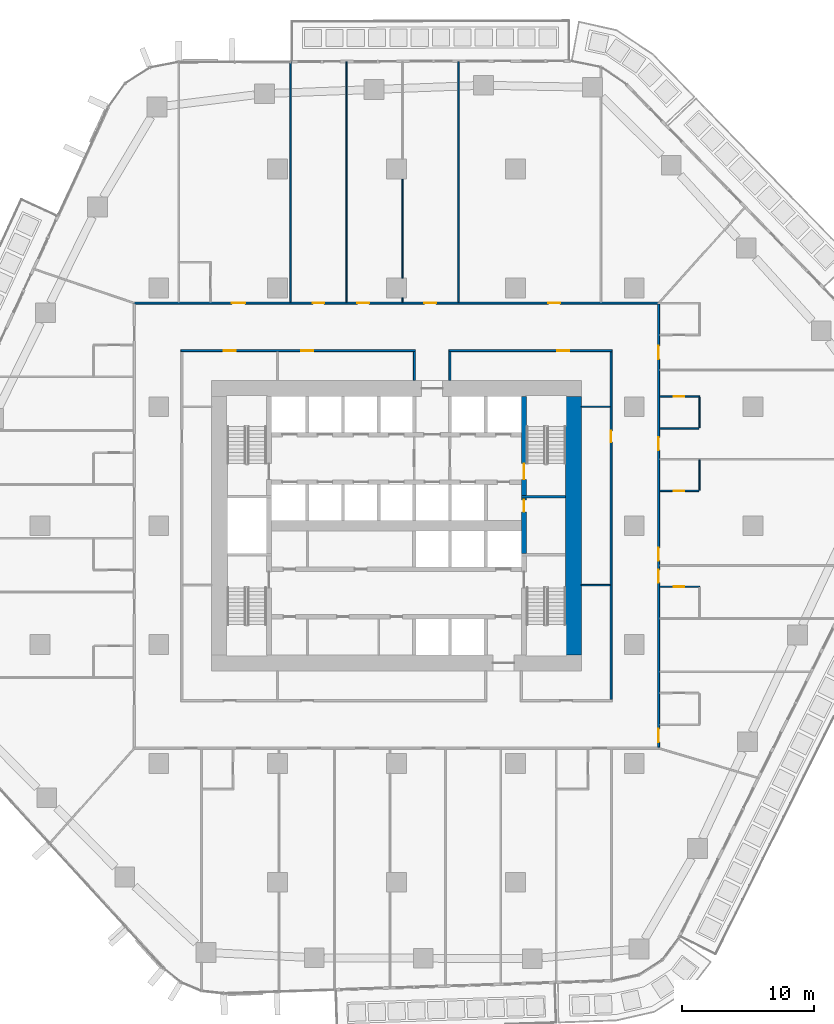
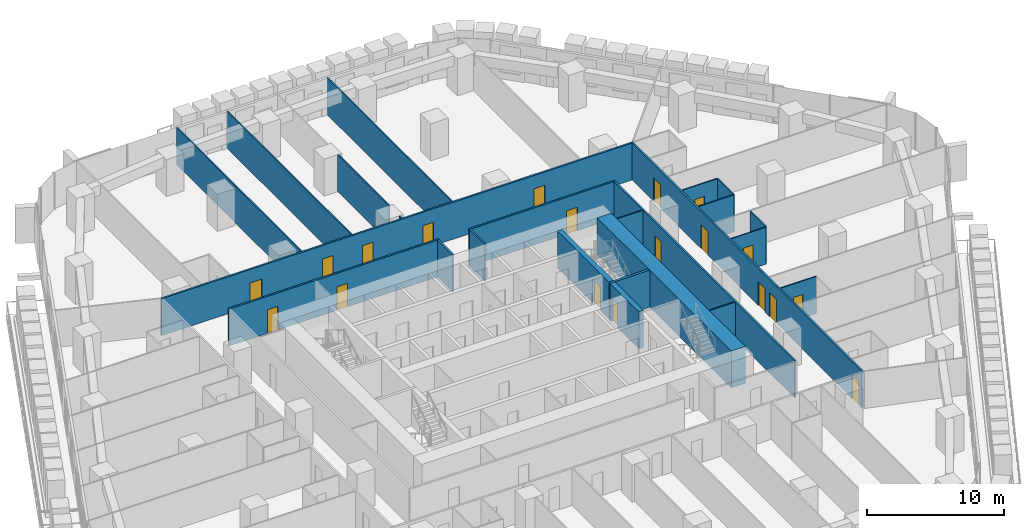
# One storey, part 17 of 27: 24 walls, 19 doors, 19 openings.
"""IFC4 building model written with IfcOpenShell, lengths in metres."""

from ifc_helpers import new_model, si_unit, direction, frame, frame_2d, origin, place, context, subcontext, project, spatial, rectangle, extrude, material, layer, layer_set, type_object, element, fill, save


model = new_model("IFC4")

# Units and contexts
model_context = context("Model", 3, precision=1e-05, world=origin(), true_north=direction((0.0, 1.0)))
body_context = subcontext(model_context, "Body", "Model", "MODEL_VIEW")
ifc_project = project(units=[si_unit("LENGTHUNIT", "METRE"), si_unit("AREAUNIT", "SQUARE_METRE"), si_unit("VOLUMEUNIT", "CUBIC_METRE"), si_unit("PLANEANGLEUNIT", "RADIAN"), si_unit("MASSUNIT", "GRAM", prefix="KILO")], contexts=[model_context])

# Site, building, storey
site_placement = place(None, origin())
site = spatial("IfcSite", under=ifc_project, at=site_placement, CompositionType="ELEMENT")
building_placement = place(site_placement, origin())
building = spatial("IfcBuilding", under=site, at=building_placement, Name="Dongbaek Canopy Tower", CompositionType="ELEMENT")
storey_placement = place(building_placement, frame((0.0, 0.0, 58.800048828125)))
storey = spatial("IfcBuildingStorey", under=building, at=storey_placement, Name="L10", CompositionType="ELEMENT", Elevation=58.800048828125)

# Wall
ifc_material_1 = material(Name="Concrete C60/75", Category="concrete")
ifc_layer_1 = layer(ifc_material_1, 1.199951171875)
ifc_layer_set_1 = layer_set([ifc_layer_1], Name="Core outer wall 1200 Concrete C60/75")
wall_type_1 = type_object("IfcWallType", Name="Core outer wall 1200 Concrete C60/75", PredefinedType="SHEAR", material=ifc_layer_set_1)
wall_1_placement = place(storey_placement, frame((13.39990234375, 9.800048828125, 0.0), z_axis=(0.0, 0.0, 1.0), x_axis=(0.0, -1.0, 0.0)))
element("IfcWall", 1, at=wall_1_placement, inside=storey, type_object=wall_type_1, Name="Core wall", PredefinedType="SHEAR", context=body_context, shape_type="SweptSolid", body=[
    extrude(rectangle(XDim=19.60009765625, YDim=1.199951171875, at=frame_2d((9.800048828125, 0.0))), origin(), (0.0, 0.0, 1.0), 3.300048828125),
])

# Wall, openings, doors
ifc_material_2 = material(Name="Gypsum board partition, steel stud, 2 x 15 mm fire board", Category="steel")
ifc_layer_2 = layer(ifc_material_2, 0.14990234375)
ifc_layer_set_2 = layer_set([ifc_layer_2], Name="Fire-rated partition 150 gypsum board")
wall_type_2 = type_object("IfcWallType", Name="Fire-rated partition 150 gypsum board", PredefinedType="PARTITIONING", material=ifc_layer_set_2)
wall_2_placement = place(storey_placement, frame((1.425048828125, 13.25, 0.0), z_axis=(0.0, 0.0, 1.0), x_axis=(-1.0, 0.0, 0.0)))
wall_2 = element("IfcWall", 2, at=wall_2_placement, inside=storey, type_object=wall_type_2, Name="Corridor partition", PredefinedType="PARTITIONING", context=body_context, shape_type="SweptSolid", body=[
    extrude(rectangle(XDim=17.75, YDim=0.14990234375, at=frame_2d((8.875, 0.0))), origin(), (0.0, 0.0, 1.0), 3.300048828125),
])
opening_1_placement = place(wall_2_placement, frame((7.72509765625, 0.0, 0.0)))
opening_1 = element("IfcOpeningElement", 3, at=opening_1_placement, cuts=wall_2, Name="Opening L10-D041", PredefinedType="OPENING", context=body_context, shape_type="SweptSolid", body=[
    extrude(rectangle(XDim=0.89990234375, YDim=2.10009765625, at=frame_2d((0.449951171875, 1.050048828125))), frame((0.0, 0.0849609375, 0.0), z_axis=(0.0, -1.0, 0.0), x_axis=(1.0, 0.0, 0.0)), (0.0, 0.0, 1.0), 0.169921875),
])
opening_2_placement = place(wall_2_placement, frame((13.60009765625, 0.0, 0.0)))
opening_2 = element("IfcOpeningElement", 4, at=opening_2_placement, cuts=wall_2, Name="Opening L10-D042", PredefinedType="OPENING", context=body_context, shape_type="SweptSolid", body=[
    extrude(rectangle(XDim=0.89990234375, YDim=2.10009765625, at=frame_2d((0.449951171875, 1.050048828125))), frame((0.0, 0.0849609375, 0.0), z_axis=(0.0, -1.0, 0.0), x_axis=(1.0, 0.0, 0.0)), (0.0, 0.0, 1.0), 0.169921875),
])
ifc_material_3 = material(Name="Timber veneered door leaf", Category="wood")
door_type_1 = type_object("IfcDoorType", Name="Room door 900 x 2100", OperationType="SINGLE_SWING_LEFT", PredefinedType="DOOR", material=ifc_material_3)
door_1_placement = place(opening_1_placement, origin())
door_1 = element("IfcDoor", 5, at=door_1_placement, inside=storey, type_object=door_type_1, Name="Door L10-D041", OperationType="SINGLE_SWING_RIGHT", OverallHeight=2.10009765625, OverallWidth=0.89990234375, PredefinedType="DOOR", context=body_context, shape_type="SweptSolid", body=[
    extrude(rectangle(XDim=0.89990234375, YDim=2.10009765625, at=frame_2d((0.449951171875, 1.050048828125))), frame((0.0, 0.02490234375, 0.0), z_axis=(0.0, -1.0, 0.0), x_axis=(1.0, 0.0, 0.0)), (0.0, 0.0, 1.0), 0.050048828125),
])
fill(opening_1, door_1)
door_2_placement = place(opening_2_placement, origin())
door_2 = element("IfcDoor", 6, at=door_2_placement, inside=storey, type_object=door_type_1, Name="Door L10-D042", OperationType="SINGLE_SWING_LEFT", OverallHeight=2.10009765625, OverallWidth=0.89990234375, PredefinedType="DOOR", context=body_context, shape_type="SweptSolid", body=[
    extrude(rectangle(XDim=0.89990234375, YDim=2.10009765625, at=frame_2d((0.449951171875, 1.050048828125))), frame((0.0, 0.02490234375, 0.0), z_axis=(0.0, -1.0, 0.0), x_axis=(1.0, 0.0, 0.0)), (0.0, 0.0, 1.0), 0.050048828125),
])
fill(opening_2, door_2)

# Wall, opening, door
wall_3_placement = place(storey_placement, frame((16.324951171875, 13.25, 0.0), z_axis=(0.0, 0.0, 1.0), x_axis=(-1.0, 0.0, 0.0)))
wall_3 = element("IfcWall", 7, at=wall_3_placement, inside=storey, type_object=wall_type_2, Name="Corridor partition", PredefinedType="PARTITIONING", context=body_context, shape_type="SweptSolid", body=[
    extrude(rectangle(XDim=12.349853515625, YDim=0.14990234375, at=frame_2d((6.1748046875, 0.0))), origin(), (0.0, 0.0, 1.0), 3.300048828125),
])
opening_3_placement = place(wall_3_placement, frame((3.25, 0.0, 0.0)))
opening_3 = element("IfcOpeningElement", 8, at=opening_3_placement, cuts=wall_3, Name="Opening L10-D040", PredefinedType="OPENING", context=body_context, shape_type="SweptSolid", body=[
    extrude(rectangle(XDim=0.89990234375, YDim=2.10009765625, at=frame_2d((0.449951171875, 1.050048828125))), frame((0.0, 0.0849609375, 0.0), z_axis=(0.0, -1.0, 0.0), x_axis=(1.0, 0.0, 0.0)), (0.0, 0.0, 1.0), 0.169921875),
])
door_3_placement = place(opening_3_placement, origin())
door_3 = element("IfcDoor", 9, at=door_3_placement, inside=storey, type_object=door_type_1, Name="Door L10-D040", OperationType="SINGLE_SWING_LEFT", OverallHeight=2.10009765625, OverallWidth=0.89990234375, PredefinedType="DOOR", context=body_context, shape_type="SweptSolid", body=[
    extrude(rectangle(XDim=0.89990234375, YDim=2.10009765625, at=frame_2d((0.449951171875, 1.050048828125))), frame((0.0, 0.02490234375, 0.0), z_axis=(0.0, -1.0, 0.0), x_axis=(1.0, 0.0, 0.0)), (0.0, 0.0, 1.0), 0.050048828125),
])
fill(opening_3, door_3)

# Wall, openings, doors
wall_4_placement = place(storey_placement, frame((-19.925048828125, 16.85009765625, 0.0), z_axis=(0.0, 0.0, 1.0), x_axis=(1.0, 0.0, 0.0)))
wall_4 = element("IfcWall", 10, at=wall_4_placement, inside=storey, type_object=wall_type_2, Name="Corridor partition", PredefinedType="PARTITIONING", context=body_context, shape_type="SweptSolid", body=[
    extrude(rectangle(XDim=39.85009765625, YDim=0.14990234375, at=frame_2d((19.925048828125, 0.0))), origin(), (0.0, 0.0, 1.0), 3.300048828125),
])
opening_4_placement = place(wall_4_placement, frame((31.43310546875, 0.0, 0.0)))
opening_4 = element("IfcOpeningElement", 11, at=opening_4_placement, cuts=wall_4, Name="Opening L10-D025", PredefinedType="OPENING", context=body_context, shape_type="SweptSolid", body=[
    extrude(rectangle(XDim=0.89990234375, YDim=2.10009765625, at=frame_2d((0.449951171875, 1.050048828125))), frame((0.0, 0.0849609375, 0.0), z_axis=(0.0, -1.0, 0.0), x_axis=(1.0, 0.0, 0.0)), (0.0, 0.0, 1.0), 0.169921875),
])
opening_5_placement = place(wall_4_placement, frame((22.043212890625, 0.0, 0.0)))
opening_5 = element("IfcOpeningElement", 12, at=opening_5_placement, cuts=wall_4, Name="Opening L10-D026", PredefinedType="OPENING", context=body_context, shape_type="SweptSolid", body=[
    extrude(rectangle(XDim=0.89990234375, YDim=2.10009765625, at=frame_2d((0.449951171875, 1.050048828125))), frame((0.0, 0.0849609375, 0.0), z_axis=(0.0, -1.0, 0.0), x_axis=(1.0, 0.0, 0.0)), (0.0, 0.0, 1.0), 0.169921875),
])
opening_6_placement = place(wall_4_placement, frame((16.95703125, 0.0, 0.0)))
opening_6 = element("IfcOpeningElement", 13, at=opening_6_placement, cuts=wall_4, Name="Opening L10-D027", PredefinedType="OPENING", context=body_context, shape_type="SweptSolid", body=[
    extrude(rectangle(XDim=0.89990234375, YDim=2.10009765625, at=frame_2d((0.449951171875, 1.050048828125))), frame((0.0, 0.0849609375, 0.0), z_axis=(0.0, -1.0, 0.0), x_axis=(1.0, 0.0, 0.0)), (0.0, 0.0, 1.0), 0.169921875),
])
opening_7_placement = place(wall_4_placement, frame((13.572265625, 0.0, 0.0)))
opening_7 = element("IfcOpeningElement", 14, at=opening_7_placement, cuts=wall_4, Name="Opening L10-D028", PredefinedType="OPENING", context=body_context, shape_type="SweptSolid", body=[
    extrude(rectangle(XDim=0.89990234375, YDim=2.10009765625, at=frame_2d((0.449951171875, 1.050048828125))), frame((0.0, 0.0849609375, 0.0), z_axis=(0.0, -1.0, 0.0), x_axis=(1.0, 0.0, 0.0)), (0.0, 0.0, 1.0), 0.169921875),
])
opening_8_placement = place(wall_4_placement, frame((7.45849609375, 0.0, 0.0)))
opening_8 = element("IfcOpeningElement", 15, at=opening_8_placement, cuts=wall_4, Name="Opening L10-D030", PredefinedType="OPENING", context=body_context, shape_type="SweptSolid", body=[
    extrude(rectangle(XDim=1.0, YDim=2.10009765625, at=frame_2d((0.5, 1.050048828125))), frame((0.0, 0.0849609375, 0.0), z_axis=(0.0, -1.0, 0.0), x_axis=(1.0, 0.0, 0.0)), (0.0, 0.0, 1.0), 0.169921875),
])
ifc_material_4 = material(Name="Timber veneered door leaf", Category="wood")
door_type_2 = type_object("IfcDoorType", Name="Guest room door 1000 x 2100", OperationType="SINGLE_SWING_LEFT", PredefinedType="DOOR", material=ifc_material_4)
door_4_placement = place(opening_8_placement, origin())
door_4 = element("IfcDoor", 16, at=door_4_placement, inside=storey, type_object=door_type_2, Name="Door L10-D030", OperationType="SINGLE_SWING_LEFT", OverallHeight=2.10009765625, OverallWidth=1.0, PredefinedType="DOOR", context=body_context, shape_type="SweptSolid", body=[
    extrude(rectangle(XDim=1.0, YDim=2.10009765625, at=frame_2d((0.5, 1.050048828125))), frame((0.0, 0.02490234375, 0.0), z_axis=(0.0, -1.0, 0.0), x_axis=(1.0, 0.0, 0.0)), (0.0, 0.0, 1.0), 0.050048828125),
])
fill(opening_8, door_4)
door_5_placement = place(opening_4_placement, origin())
door_5 = element("IfcDoor", 17, at=door_5_placement, inside=storey, type_object=door_type_1, Name="Door L10-D025", OperationType="SINGLE_SWING_LEFT", OverallHeight=2.10009765625, OverallWidth=0.89990234375, PredefinedType="DOOR", context=body_context, shape_type="SweptSolid", body=[
    extrude(rectangle(XDim=0.89990234375, YDim=2.10009765625, at=frame_2d((0.449951171875, 1.050048828125))), frame((0.0, 0.02490234375, 0.0), z_axis=(0.0, -1.0, 0.0), x_axis=(1.0, 0.0, 0.0)), (0.0, 0.0, 1.0), 0.050048828125),
])
fill(opening_4, door_5)
door_6_placement = place(opening_5_placement, origin())
door_6 = element("IfcDoor", 18, at=door_6_placement, inside=storey, type_object=door_type_1, Name="Door L10-D026", OperationType="SINGLE_SWING_RIGHT", OverallHeight=2.10009765625, OverallWidth=0.89990234375, PredefinedType="DOOR", context=body_context, shape_type="SweptSolid", body=[
    extrude(rectangle(XDim=0.89990234375, YDim=2.10009765625, at=frame_2d((0.449951171875, 1.050048828125))), frame((0.0, 0.02490234375, 0.0), z_axis=(0.0, -1.0, 0.0), x_axis=(1.0, 0.0, 0.0)), (0.0, 0.0, 1.0), 0.050048828125),
])
fill(opening_5, door_6)
door_7_placement = place(opening_6_placement, origin())
door_7 = element("IfcDoor", 19, at=door_7_placement, inside=storey, type_object=door_type_1, Name="Door L10-D027", OperationType="SINGLE_SWING_LEFT", OverallHeight=2.10009765625, OverallWidth=0.89990234375, PredefinedType="DOOR", context=body_context, shape_type="SweptSolid", body=[
    extrude(rectangle(XDim=0.89990234375, YDim=2.10009765625, at=frame_2d((0.449951171875, 1.050048828125))), frame((0.0, 0.02490234375, 0.0), z_axis=(0.0, -1.0, 0.0), x_axis=(1.0, 0.0, 0.0)), (0.0, 0.0, 1.0), 0.050048828125),
])
fill(opening_6, door_7)
door_8_placement = place(opening_7_placement, origin())
door_8 = element("IfcDoor", 20, at=door_8_placement, inside=storey, type_object=door_type_1, Name="Door L10-D028", OperationType="SINGLE_SWING_RIGHT", OverallHeight=2.10009765625, OverallWidth=0.89990234375, PredefinedType="DOOR", context=body_context, shape_type="SweptSolid", body=[
    extrude(rectangle(XDim=0.89990234375, YDim=2.10009765625, at=frame_2d((0.449951171875, 1.050048828125))), frame((0.0, 0.02490234375, 0.0), z_axis=(0.0, -1.0, 0.0), x_axis=(1.0, 0.0, 0.0)), (0.0, 0.0, 1.0), 0.050048828125),
])
fill(opening_7, door_8)

wall_5_placement = place(storey_placement, frame((19.85009765625, 16.77490234375, 0.0), z_axis=(0.0, 0.0, 1.0), x_axis=(0.0, -1.0, 0.0)))
wall_5 = element("IfcWall", 21, at=wall_5_placement, inside=storey, type_object=wall_type_2, Name="Corridor partition", PredefinedType="PARTITIONING", context=body_context, shape_type="SweptSolid", body=[
    extrude(rectangle(XDim=33.5498046875, YDim=0.14990234375, at=frame_2d((16.77490234375, 0.0))), origin(), (0.0, 0.0, 1.0), 3.300048828125),
])
opening_9_placement = place(wall_5_placement, frame((32.15771484375, 0.0, 0.0)))
opening_9 = element("IfcOpeningElement", 22, at=opening_9_placement, cuts=wall_5, Name="Opening L10-D016", PredefinedType="OPENING", context=body_context, shape_type="SweptSolid", body=[
    extrude(rectangle(XDim=1.0, YDim=2.10009765625, at=frame_2d((0.5, 1.050048828125))), frame((0.0, 0.0849609375, 0.0), z_axis=(0.0, -1.0, 0.0), x_axis=(1.0, 0.0, 0.0)), (0.0, 0.0, 1.0), 0.169921875),
])
opening_10_placement = place(wall_5_placement, frame((20.093505859375, 0.0, 0.0)))
opening_10 = element("IfcOpeningElement", 23, at=opening_10_placement, cuts=wall_5, Name="Opening L10-D018", PredefinedType="OPENING", context=body_context, shape_type="SweptSolid", body=[
    extrude(rectangle(XDim=1.0, YDim=2.10009765625, at=frame_2d((0.5, 1.050048828125))), frame((0.0, 0.0849609375, 0.0), z_axis=(0.0, -1.0, 0.0), x_axis=(1.0, 0.0, 0.0)), (0.0, 0.0, 1.0), 0.169921875),
])
opening_11_placement = place(wall_5_placement, frame((18.427978515625, 0.0, 0.0)))
opening_11 = element("IfcOpeningElement", 24, at=opening_11_placement, cuts=wall_5, Name="Opening L10-D020", PredefinedType="OPENING", context=body_context, shape_type="SweptSolid", body=[
    extrude(rectangle(XDim=1.0, YDim=2.10009765625, at=frame_2d((0.5, 1.050048828125))), frame((0.0, 0.0849609375, 0.0), z_axis=(0.0, -1.0, 0.0), x_axis=(1.0, 0.0, 0.0)), (0.0, 0.0, 1.0), 0.169921875),
])
opening_12_placement = place(wall_5_placement, frame((10.072265625, 0.0, 0.0)))
opening_12 = element("IfcOpeningElement", 25, at=opening_12_placement, cuts=wall_5, Name="Opening L10-D022", PredefinedType="OPENING", context=body_context, shape_type="SweptSolid", body=[
    extrude(rectangle(XDim=1.0, YDim=2.10009765625, at=frame_2d((0.5, 1.050048828125))), frame((0.0, 0.0849609375, 0.0), z_axis=(0.0, -1.0, 0.0), x_axis=(1.0, 0.0, 0.0)), (0.0, 0.0, 1.0), 0.169921875),
])
opening_13_placement = place(wall_5_placement, frame((3.15625, 0.0, 0.0)))
opening_13 = element("IfcOpeningElement", 26, at=opening_13_placement, cuts=wall_5, Name="Opening L10-D024", PredefinedType="OPENING", context=body_context, shape_type="SweptSolid", body=[
    extrude(rectangle(XDim=1.0, YDim=2.10009765625, at=frame_2d((0.5, 1.050048828125))), frame((0.0, 0.0849609375, 0.0), z_axis=(0.0, -1.0, 0.0), x_axis=(1.0, 0.0, 0.0)), (0.0, 0.0, 1.0), 0.169921875),
])
door_9_placement = place(opening_9_placement, origin())
door_9 = element("IfcDoor", 27, at=door_9_placement, inside=storey, type_object=door_type_2, Name="Door L10-D016", OperationType="SINGLE_SWING_RIGHT", OverallHeight=2.10009765625, OverallWidth=1.0, PredefinedType="DOOR", context=body_context, shape_type="SweptSolid", body=[
    extrude(rectangle(XDim=1.0, YDim=2.10009765625, at=frame_2d((0.5, 1.050048828125))), frame((0.0, 0.02490234375, 0.0), z_axis=(0.0, -1.0, 0.0), x_axis=(1.0, 0.0, 0.0)), (0.0, 0.0, 1.0), 0.050048828125),
])
fill(opening_9, door_9)
door_10_placement = place(opening_10_placement, origin())
door_10 = element("IfcDoor", 28, at=door_10_placement, inside=storey, type_object=door_type_2, Name="Door L10-D018", OperationType="SINGLE_SWING_RIGHT", OverallHeight=2.10009765625, OverallWidth=1.0, PredefinedType="DOOR", context=body_context, shape_type="SweptSolid", body=[
    extrude(rectangle(XDim=1.0, YDim=2.10009765625, at=frame_2d((0.5, 1.050048828125))), frame((0.0, 0.02490234375, 0.0), z_axis=(0.0, -1.0, 0.0), x_axis=(1.0, 0.0, 0.0)), (0.0, 0.0, 1.0), 0.050048828125),
])
fill(opening_10, door_10)
door_11_placement = place(opening_11_placement, origin())
door_11 = element("IfcDoor", 29, at=door_11_placement, inside=storey, type_object=door_type_2, Name="Door L10-D020", OperationType="SINGLE_SWING_LEFT", OverallHeight=2.10009765625, OverallWidth=1.0, PredefinedType="DOOR", context=body_context, shape_type="SweptSolid", body=[
    extrude(rectangle(XDim=1.0, YDim=2.10009765625, at=frame_2d((0.5, 1.050048828125))), frame((0.0, 0.02490234375, 0.0), z_axis=(0.0, -1.0, 0.0), x_axis=(1.0, 0.0, 0.0)), (0.0, 0.0, 1.0), 0.050048828125),
])
fill(opening_11, door_11)
door_12_placement = place(opening_12_placement, origin())
door_12 = element("IfcDoor", 30, at=door_12_placement, inside=storey, type_object=door_type_2, Name="Door L10-D022", OperationType="SINGLE_SWING_RIGHT", OverallHeight=2.10009765625, OverallWidth=1.0, PredefinedType="DOOR", context=body_context, shape_type="SweptSolid", body=[
    extrude(rectangle(XDim=1.0, YDim=2.10009765625, at=frame_2d((0.5, 1.050048828125))), frame((0.0, 0.02490234375, 0.0), z_axis=(0.0, -1.0, 0.0), x_axis=(1.0, 0.0, 0.0)), (0.0, 0.0, 1.0), 0.050048828125),
])
fill(opening_12, door_12)
door_13_placement = place(opening_13_placement, origin())
door_13 = element("IfcDoor", 31, at=door_13_placement, inside=storey, type_object=door_type_2, Name="Door L10-D024", OperationType="SINGLE_SWING_LEFT", OverallHeight=2.10009765625, OverallWidth=1.0, PredefinedType="DOOR", context=body_context, shape_type="SweptSolid", body=[
    extrude(rectangle(XDim=1.0, YDim=2.10009765625, at=frame_2d((0.5, 1.050048828125))), frame((0.0, 0.02490234375, 0.0), z_axis=(0.0, -1.0, 0.0), x_axis=(1.0, 0.0, 0.0)), (0.0, 0.0, 1.0), 0.050048828125),
])
fill(opening_13, door_13)

# Wall, opening, door
wall_6_placement = place(storey_placement, frame((16.25, -13.175048828125, 0.0), z_axis=(0.0, 0.0, 1.0), x_axis=(0.0, 1.0, 0.0)))
wall_6 = element("IfcWall", 32, at=wall_6_placement, inside=storey, type_object=wall_type_2, Name="Corridor partition", PredefinedType="PARTITIONING", context=body_context, shape_type="SweptSolid", body=[
    extrude(rectangle(XDim=26.35009765625, YDim=0.14990234375, at=frame_2d((13.175048828125, 0.0))), origin(), (0.0, 0.0, 1.0), 3.300048828125),
])
opening_14_placement = place(wall_6_placement, frame((19.47509765625, 0.0, 0.0)))
opening_14 = element("IfcOpeningElement", 33, at=opening_14_placement, cuts=wall_6, Name="Opening L10-D039", PredefinedType="OPENING", context=body_context, shape_type="SweptSolid", body=[
    extrude(rectangle(XDim=0.89990234375, YDim=2.10009765625, at=frame_2d((0.449951171875, 1.050048828125))), frame((0.0, 0.0849609375, 0.0), z_axis=(0.0, -1.0, 0.0), x_axis=(1.0, 0.0, 0.0)), (0.0, 0.0, 1.0), 0.169921875),
])
door_14_placement = place(opening_14_placement, origin())
door_14 = element("IfcDoor", 34, at=door_14_placement, inside=storey, type_object=door_type_1, Name="Door L10-D039", OperationType="SINGLE_SWING_RIGHT", OverallHeight=2.10009765625, OverallWidth=0.89990234375, PredefinedType="DOOR", context=body_context, shape_type="SweptSolid", body=[
    extrude(rectangle(XDim=0.89990234375, YDim=2.10009765625, at=frame_2d((0.449951171875, 1.050048828125))), frame((0.0, 0.02490234375, 0.0), z_axis=(0.0, -1.0, 0.0), x_axis=(1.0, 0.0, 0.0)), (0.0, 0.0, 1.0), 0.050048828125),
])
fill(opening_14, door_14)

# Walls
for number, where, z_axis, x_axis, name in (
    (35, (4.050048828125, 11.0, 0.0), (0.0, 0.0, 1.0), (0.0, 1.0, 0.0), "Corridor partition"),
    (36, (1.35009765625, 11.0, 0.0), (0.0, 0.0, 1.0), (0.0, 1.0, 0.0), "Corridor partition"),
):
    element("IfcWall", number, at=place(storey_placement, frame(where, z_axis=z_axis, x_axis=x_axis)), inside=storey, type_object=wall_type_2, Name=name, PredefinedType="PARTITIONING", context=body_context, shape_type="SweptSolid", body=[
        extrude(rectangle(XDim=2.175048828125, YDim=0.14990234375, at=frame_2d((1.08740234375, 0.0))), origin(), (0.0, 0.0, 1.0), 3.300048828125),
    ])

# Wall, opening, door
ifc_material_5 = material(Name="Gypsum board partition, steel stud, 2 x 12.5 mm board", Category="steel")
ifc_layer_3 = layer(ifc_material_5, 0.10009765625)
ifc_layer_set_3 = layer_set([ifc_layer_3], Name="Partition 100 gypsum board")
wall_type_3 = type_object("IfcWallType", Name="Partition 100 gypsum board", PredefinedType="PARTITIONING", material=ifc_layer_set_3)
wall_7_placement = place(storey_placement, frame((22.949951171875, -4.6298828125, 0.0), z_axis=(0.0, 0.0, 1.0), x_axis=(-1.0, 0.0, 0.0)))
wall_7 = element("IfcWall", 37, at=wall_7_placement, inside=storey, type_object=wall_type_3, Name="Partition", PredefinedType="PARTITIONING", context=body_context, shape_type="SweptSolid", body=[
    extrude(rectangle(XDim=3.02490234375, YDim=0.10009765625, at=frame_2d((1.512451171875, 0.0))), origin(), (0.0, 0.0, 1.0), 3.300048828125),
])
opening_15_placement = place(wall_7_placement, frame((1.14990234375, 0.0, 0.0)))
opening_15 = element("IfcOpeningElement", 38, at=opening_15_placement, cuts=wall_7, Name="Opening L10-D017", PredefinedType="OPENING", context=body_context, shape_type="SweptSolid", body=[
    extrude(rectangle(XDim=0.800048828125, YDim=2.10009765625, at=frame_2d((0.39990234375, 1.050048828125))), frame((0.0, 0.06005859375, 0.0), z_axis=(0.0, -1.0, 0.0), x_axis=(1.0, 0.0, 0.0)), (0.0, 0.0, 1.0), 0.1201171875),
])
ifc_material_6 = material(Name="Timber veneered door leaf", Category="wood")
door_type_3 = type_object("IfcDoorType", Name="En-suite door 800 x 2100", OperationType="SINGLE_SWING_LEFT", PredefinedType="DOOR", material=ifc_material_6)
door_15_placement = place(opening_15_placement, origin())
door_15 = element("IfcDoor", 39, at=door_15_placement, inside=storey, type_object=door_type_3, Name="Door L10-D017", OperationType="SINGLE_SWING_LEFT", OverallHeight=2.10009765625, OverallWidth=0.800048828125, PredefinedType="DOOR", context=body_context, shape_type="SweptSolid", body=[
    extrude(rectangle(XDim=0.800048828125, YDim=2.10009765625, at=frame_2d((0.39990234375, 1.050048828125))), frame((0.0, 0.02490234375, 0.0), z_axis=(0.0, -1.0, 0.0), x_axis=(1.0, 0.0, 0.0)), (0.0, 0.0, 1.0), 0.050048828125),
])
fill(opening_15, door_15)

# Wall
wall_8_placement = place(storey_placement, frame((14.0, -4.5, 0.0), z_axis=(0.0, 0.0, 1.0), x_axis=(1.0, 0.0, 0.0)))
element("IfcWall", 40, at=wall_8_placement, inside=storey, type_object=wall_type_3, Name="Partition", PredefinedType="PARTITIONING", context=body_context, shape_type="SweptSolid", body=[
    extrude(rectangle(XDim=2.175048828125, YDim=0.10009765625, at=frame_2d((1.08740234375, 0.0))), origin(), (0.0, 0.0, 1.0), 3.300048828125),
])

# Wall, opening, door
wall_9_placement = place(storey_placement, frame((19.925048828125, 2.635009765625, 0.0), z_axis=(0.0, 0.0, 1.0), x_axis=(1.0, 0.0, 0.0)))
wall_9 = element("IfcWall", 41, at=wall_9_placement, inside=storey, type_object=wall_type_3, Name="Partition", PredefinedType="PARTITIONING", context=body_context, shape_type="SweptSolid", body=[
    extrude(rectangle(XDim=2.974853515625, YDim=0.10009765625, at=frame_2d((1.4873046875, 0.0))), origin(), (0.0, 0.0, 1.0), 3.300048828125),
])
opening_16_placement = place(wall_9_placement, frame((1.074951171875, 0.0, 0.0)))
opening_16 = element("IfcOpeningElement", 42, at=opening_16_placement, cuts=wall_9, Name="Opening L10-D019", PredefinedType="OPENING", context=body_context, shape_type="SweptSolid", body=[
    extrude(rectangle(XDim=0.800048828125, YDim=2.10009765625, at=frame_2d((0.39990234375, 1.050048828125))), frame((0.0, 0.06005859375, 0.0), z_axis=(0.0, -1.0, 0.0), x_axis=(1.0, 0.0, 0.0)), (0.0, 0.0, 1.0), 0.1201171875),
])
door_16_placement = place(opening_16_placement, origin())
door_16 = element("IfcDoor", 43, at=door_16_placement, inside=storey, type_object=door_type_3, Name="Door L10-D019", OperationType="SINGLE_SWING_RIGHT", OverallHeight=2.10009765625, OverallWidth=0.800048828125, PredefinedType="DOOR", context=body_context, shape_type="SweptSolid", body=[
    extrude(rectangle(XDim=0.800048828125, YDim=2.10009765625, at=frame_2d((0.39990234375, 1.050048828125))), frame((0.0, 0.02490234375, 0.0), z_axis=(0.0, -1.0, 0.0), x_axis=(1.0, 0.0, 0.0)), (0.0, 0.0, 1.0), 0.050048828125),
])
fill(opening_16, door_16)

# Walls
wall_10_placement = place(storey_placement, frame((19.925048828125, 7.37109375, 0.0), z_axis=(0.0, 0.0, 1.0), x_axis=(1.0, 0.0, 0.0)))
element("IfcWall", 44, at=wall_10_placement, inside=storey, type_object=wall_type_3, Name="Partition", PredefinedType="PARTITIONING", context=body_context, shape_type="SweptSolid", body=[
    extrude(rectangle(XDim=2.974853515625, YDim=0.10009765625, at=frame_2d((1.4873046875, 0.0))), origin(), (0.0, 0.0, 1.0), 3.300048828125),
])
wall_11_placement = place(storey_placement, frame((14.0, 9.0, 0.0), z_axis=(0.0, 0.0, 1.0), x_axis=(1.0, 0.0, 0.0)))
element("IfcWall", 45, at=wall_11_placement, inside=storey, type_object=wall_type_3, Name="Partition", PredefinedType="PARTITIONING", context=body_context, shape_type="SweptSolid", body=[
    extrude(rectangle(XDim=2.175048828125, YDim=0.10009765625, at=frame_2d((1.08740234375, 0.0))), origin(), (0.0, 0.0, 1.0), 3.300048828125),
])

# Wall, opening, door
wall_12_placement = place(storey_placement, frame((22.949951171875, 9.77099609375, 0.0), z_axis=(0.0, 0.0, 1.0), x_axis=(-1.0, 0.0, 0.0)))
wall_12 = element("IfcWall", 46, at=wall_12_placement, inside=storey, type_object=wall_type_3, Name="Partition", PredefinedType="PARTITIONING", context=body_context, shape_type="SweptSolid", body=[
    extrude(rectangle(XDim=3.02490234375, YDim=0.10009765625, at=frame_2d((1.512451171875, 0.0))), origin(), (0.0, 0.0, 1.0), 3.300048828125),
])
opening_17_placement = place(wall_12_placement, frame((1.14990234375, 0.0, 0.0)))
opening_17 = element("IfcOpeningElement", 47, at=opening_17_placement, cuts=wall_12, Name="Opening L10-D021", PredefinedType="OPENING", context=body_context, shape_type="SweptSolid", body=[
    extrude(rectangle(XDim=0.800048828125, YDim=2.10009765625, at=frame_2d((0.39990234375, 1.050048828125))), frame((0.0, 0.06005859375, 0.0), z_axis=(0.0, -1.0, 0.0), x_axis=(1.0, 0.0, 0.0)), (0.0, 0.0, 1.0), 0.1201171875),
])
door_17_placement = place(opening_17_placement, origin())
door_17 = element("IfcDoor", 48, at=door_17_placement, inside=storey, type_object=door_type_3, Name="Door L10-D021", OperationType="SINGLE_SWING_LEFT", OverallHeight=2.10009765625, OverallWidth=0.800048828125, PredefinedType="DOOR", context=body_context, shape_type="SweptSolid", body=[
    extrude(rectangle(XDim=0.800048828125, YDim=2.10009765625, at=frame_2d((0.39990234375, 1.050048828125))), frame((0.0, 0.02490234375, 0.0), z_axis=(0.0, -1.0, 0.0), x_axis=(1.0, 0.0, 0.0)), (0.0, 0.0, 1.0), 0.050048828125),
])
fill(opening_17, door_17)

# Walls
for number, where, z_axis, x_axis, name in (
    (49, (22.949951171875, 2.684814453125, 0.0), (0.0, 0.0, 1.0), (0.0, 1.0, 0.0), "Partition"),
    (50, (22.949951171875, 7.4208984375, 0.0), (0.0, 0.0, 1.0), (0.0, 1.0, 0.0), "Partition"),
):
    element("IfcWall", number, at=place(storey_placement, frame(where, z_axis=z_axis, x_axis=x_axis)), inside=storey, type_object=wall_type_3, Name=name, PredefinedType="PARTITIONING", context=body_context, shape_type="SweptSolid", body=[
        extrude(rectangle(XDim=2.2998046875, YDim=0.10009765625, at=frame_2d((1.14990234375, 0.0))), origin(), (0.0, 0.0, 1.0), 3.300048828125),
    ])
wall_13_placement = place(storey_placement, frame((4.68603515625, 16.925048828125, 0.0), z_axis=(0.0, 0.0, 1.0), x_axis=(0.0, 1.0, 0.0)))
element("IfcWall", 51, at=wall_13_placement, inside=storey, type_object=wall_type_3, Name="Partition", PredefinedType="PARTITIONING", context=body_context, shape_type="SweptSolid", body=[
    extrude(rectangle(XDim=18.224853515625, YDim=0.10009765625, at=frame_2d((9.1123046875, 0.0))), origin(), (0.0, 0.0, 1.0), 3.300048828125),
])
wall_14_placement = place(storey_placement, frame((0.450927734375, 16.925048828125, 0.0), z_axis=(0.0, 0.0, 1.0), x_axis=(0.0, 1.0, 0.0)))
element("IfcWall", 52, at=wall_14_placement, inside=storey, type_object=wall_type_3, Name="Partition", PredefinedType="PARTITIONING", context=body_context, shape_type="SweptSolid", body=[
    extrude(rectangle(XDim=0.324951171875, YDim=0.10009765625, at=frame_2d((0.16259765625, 0.0))), origin(), (0.0, 0.0, 1.0), 3.300048828125),
])
wall_15_placement = place(storey_placement, frame((0.450927734375, 18.75, 0.0), z_axis=(0.0, 0.0, 1.0), x_axis=(0.0, 1.0, 0.0)))
element("IfcWall", 53, at=wall_15_placement, inside=storey, type_object=wall_type_3, Name="Partition", PredefinedType="PARTITIONING", context=body_context, shape_type="SweptSolid", body=[
    extrude(rectangle(XDim=7.5, YDim=0.10009765625, at=frame_2d((3.75, 0.0))), origin(), (0.0, 0.0, 1.0), 3.300048828125),
])
wall_16_placement = place(storey_placement, frame((-3.784912109375, 16.925048828125, 0.0), z_axis=(0.0, 0.0, 1.0), x_axis=(0.0, 1.0, 0.0)))
element("IfcWall", 54, at=wall_16_placement, inside=storey, type_object=wall_type_3, Name="Partition", PredefinedType="PARTITIONING", context=body_context, shape_type="SweptSolid", body=[
    extrude(rectangle(XDim=18.202392578125, YDim=0.10009765625, at=frame_2d((9.10107421875, 0.0))), origin(), (0.0, 0.0, 1.0), 3.300048828125),
])
wall_17_placement = place(storey_placement, frame((-8.02001953125, 16.925048828125, 0.0), z_axis=(0.0, 0.0, 1.0), x_axis=(0.0, 1.0, 0.0)))
element("IfcWall", 55, at=wall_17_placement, inside=storey, type_object=wall_type_3, Name="Partition", PredefinedType="PARTITIONING", context=body_context, shape_type="SweptSolid", body=[
    extrude(rectangle(XDim=18.191162109375, YDim=0.10009765625, at=frame_2d((9.095703125, 0.0))), origin(), (0.0, 0.0, 1.0), 3.300048828125),
])
ifc_material_7 = material(Name="Concrete C60/75", Category="concrete")
ifc_layer_4 = layer(ifc_material_7, 0.199951171875)
ifc_layer_set_4 = layer_set([ifc_layer_4], Name="Riser wall 200 Concrete C60/75")
wall_type_4 = type_object("IfcWallType", Name="Riser wall 200 Concrete C60/75", PredefinedType="SHEAR", material=ifc_layer_set_4)
wall_18_placement = place(storey_placement, frame((9.449951171875, 2.199951171875, 0.0), z_axis=(0.0, 0.0, 1.0), x_axis=(1.0, 0.0, 0.0)))
element("IfcWall", 56, at=wall_18_placement, inside=storey, type_object=wall_type_4, Name="Riser wall", PredefinedType="SHEAR", context=body_context, shape_type="SweptSolid", body=[
    extrude(rectangle(XDim=3.35009765625, YDim=0.199951171875, at=frame_2d((1.675048828125, 0.0))), origin(), (0.0, 0.0, 1.0), 3.300048828125),
])

# Wall, opening, door
ifc_material_8 = material(Name="Concrete C60/75", Category="concrete")
ifc_layer_5 = layer(ifc_material_8, 0.39990234375)
ifc_layer_set_5 = layer_set([ifc_layer_5], Name="Stair wall 400 Concrete C60/75")
wall_type_5 = type_object("IfcWallType", Name="Stair wall 400 Concrete C60/75", PredefinedType="SHEAR", material=ifc_layer_set_5)
wall_19_placement = place(storey_placement, frame((9.64990234375, 2.10009765625, 0.0), z_axis=(0.0, 0.0, 1.0), x_axis=(0.0, -1.0, 0.0)))
wall_19 = element("IfcWall", 57, at=wall_19_placement, inside=storey, type_object=wall_type_5, Name="Stair wall", PredefinedType="SHEAR", context=body_context, shape_type="SweptSolid", body=[
    extrude(rectangle(XDim=4.2001953125, YDim=0.39990234375, at=frame_2d((2.10009765625, 0.0))), origin(), (0.0, 0.0, 1.0), 3.300048828125),
])
opening_18_placement = place(wall_19_placement, frame((0.14990234375, 0.0, 0.0)))
opening_18 = element("IfcOpeningElement", 58, at=opening_18_placement, cuts=wall_19, Name="Opening L10-D044", PredefinedType="OPENING", context=body_context, shape_type="SweptSolid", body=[
    extrude(rectangle(XDim=0.89990234375, YDim=2.10009765625, at=frame_2d((0.449951171875, 1.050048828125))), frame((0.0, 0.2099609375, 0.0), z_axis=(0.0, -1.0, 0.0), x_axis=(1.0, 0.0, 0.0)), (0.0, 0.0, 1.0), 0.419921875),
])
ifc_material_9 = material(Name="Steel", Category="steel")
door_type_4 = type_object("IfcDoorType", Name="Core room door 900 x 2100", OperationType="SINGLE_SWING_LEFT", PredefinedType="DOOR", material=ifc_material_9)
door_18_placement = place(opening_18_placement, origin())
door_18 = element("IfcDoor", 59, at=door_18_placement, inside=storey, type_object=door_type_4, Name="Door L10-D044", OperationType="SINGLE_SWING_RIGHT", OverallHeight=2.10009765625, OverallWidth=0.89990234375, PredefinedType="DOOR", context=body_context, shape_type="SweptSolid", body=[
    extrude(rectangle(XDim=0.89990234375, YDim=2.10009765625, at=frame_2d((0.449951171875, 1.050048828125))), frame((0.0, 0.02490234375, 0.0), z_axis=(0.0, -1.0, 0.0), x_axis=(1.0, 0.0, 0.0)), (0.0, 0.0, 1.0), 0.050048828125),
])
fill(opening_18, door_18)

wall_20_placement = place(storey_placement, frame((9.64990234375, 9.800048828125, 0.0), z_axis=(0.0, 0.0, 1.0), x_axis=(0.0, -1.0, 0.0)))
wall_20 = element("IfcWall", 60, at=wall_20_placement, inside=storey, type_object=wall_type_5, Name="Stair wall", PredefinedType="SHEAR", context=body_context, shape_type="SweptSolid", body=[
    extrude(rectangle(XDim=7.5, YDim=0.39990234375, at=frame_2d((3.75, 0.0))), origin(), (0.0, 0.0, 1.0), 3.300048828125),
])
opening_19_placement = place(wall_20_placement, frame((5.10009765625, 0.0, 0.0)))
opening_19 = element("IfcOpeningElement", 61, at=opening_19_placement, cuts=wall_20, Name="Opening L10-D068", PredefinedType="OPENING", context=body_context, shape_type="SweptSolid", body=[
    extrude(rectangle(XDim=1.199951171875, YDim=2.10009765625, at=frame_2d((0.60009765625, 1.050048828125))), frame((0.0, 0.2099609375, 0.0), z_axis=(0.0, -1.0, 0.0), x_axis=(1.0, 0.0, 0.0)), (0.0, 0.0, 1.0), 0.419921875),
])
ifc_material_10 = material(Name="Steel", Category="steel")
door_type_5 = type_object("IfcDoorType", Name="Stair door 1200 x 2100", OperationType="SINGLE_SWING_LEFT", PredefinedType="DOOR", material=ifc_material_10)
door_19_placement = place(opening_19_placement, origin())
door_19 = element("IfcDoor", 62, at=door_19_placement, inside=storey, type_object=door_type_5, Name="Stair A door", OperationType="SINGLE_SWING_LEFT", OverallHeight=2.10009765625, OverallWidth=1.199951171875, PredefinedType="DOOR", context=body_context, shape_type="SweptSolid", body=[
    extrude(rectangle(XDim=1.199951171875, YDim=2.10009765625, at=frame_2d((0.60009765625, 1.050048828125))), frame((0.0, 0.02490234375, 0.0), z_axis=(0.0, -1.0, 0.0), x_axis=(1.0, 0.0, 0.0)), (0.0, 0.0, 1.0), 0.050048828125),
])
fill(opening_19, door_19)

save(model, "model.ifc")
